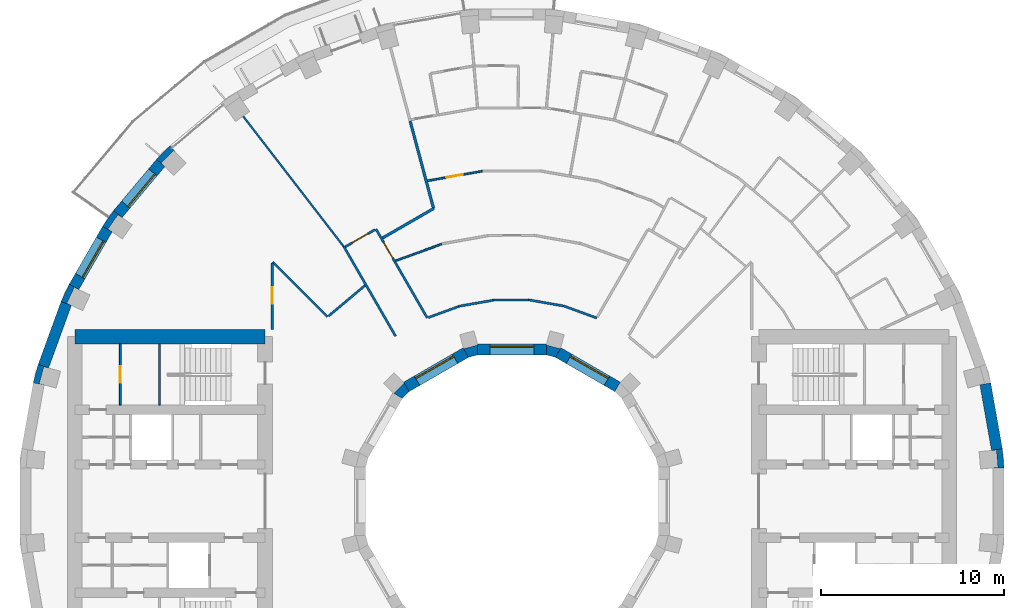
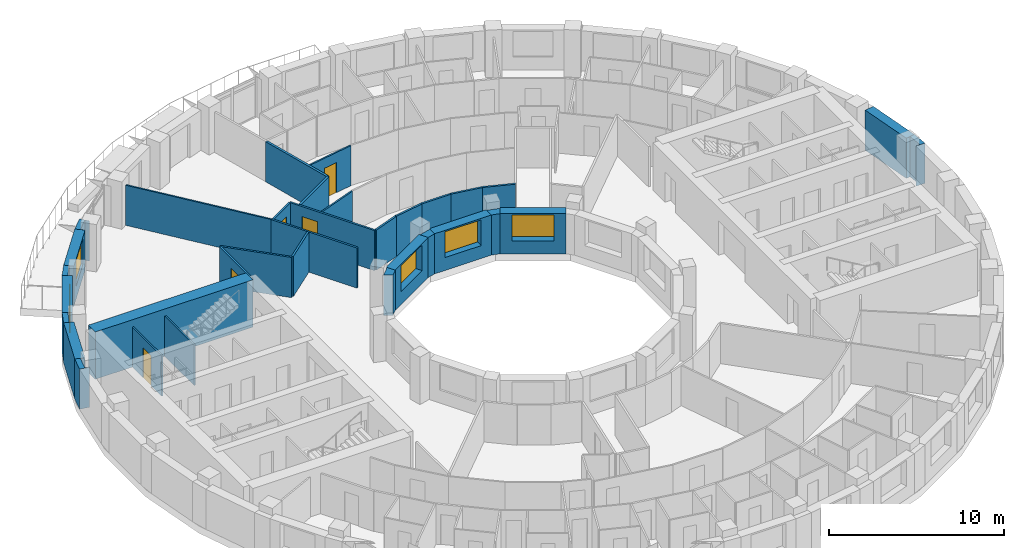
# One storey, part 10 of 14: 34 walls, 5 doors, 5 windows, 10 openings.
"""IFC4 building model written with IfcOpenShell, lengths in metres."""

import ifcopenshell
import ifcopenshell.guid

model = None  # the IFC model being written
_history = None  # IfcOwnerHistory: only IFC2X3 demands one
_inside = {}  # id of a spatial element -> (the spatial element, [elements in it])
_under = {}  # id of a project, library or spatial element -> (it, [spatial elements below it])
_declared = {}  # id of a project -> (the project, [libraries it declares])
_typed = {}  # id of a type object -> (the type object, [elements of that type])
_made_of = {}  # id of a material, layer set ... -> (it, [elements and type objects made of it])


def new_model(schema):
    """Start an empty IFC model of exactly this schema.

    Asked for "IFC4X3", IfcOpenShell would pick the latest addendum, in which some entities
    have other attributes; the version numbers below select the first issue.
    IFC2X3 requires an IfcOwnerHistory on every rooted entity: one is made here for all.
    """
    global model, _history
    if schema == "IFC4X3":
        model = ifcopenshell.file(schema_version=(4, 3, 0, 0))
    else:
        model = ifcopenshell.file(schema=schema)
    _inside.clear()
    _under.clear()
    _declared.clear()
    _typed.clear()
    _made_of.clear()
    _history = None
    if model.schema == "IFC2X3":
        org = make("IfcOrganization", Name="unknown")
        user = make(
            "IfcPersonAndOrganization",
            ThePerson=make("IfcPerson", FamilyName="unknown"),
            TheOrganization=org,
        )
        app = make(
            "IfcApplication",
            ApplicationDeveloper=org,
            Version="unknown",
            ApplicationFullName="unknown",
            ApplicationIdentifier="unknown",
        )
        _history = make(
            "IfcOwnerHistory",
            OwningUser=user,
            OwningApplication=app,
            ChangeAction="ADDED",
            CreationDate=0,
        )
    return model


def make(cls, **values):
    """One entity of the class cls with the attributes given. An attribute that is None is left unset."""
    return model.create_entity(
        cls, **{name: value for name, value in values.items() if value is not None}
    )


def rooted(cls, **values):
    """An entity with a GlobalId (a new one), such as an element, a storey or a relation."""
    return make(cls, GlobalId=ifcopenshell.guid.new(), OwnerHistory=_history, **values)


def si_unit(unit_type, name, prefix=None):
    """IfcSIUnit, for example si_unit("LENGTHUNIT", "METRE", prefix="MILLI")."""
    return make("IfcSIUnit", UnitType=unit_type, Prefix=prefix, Name=name)


def assignment(units):
    """IfcUnitAssignment: the units of a project."""
    return None if units is None else make("IfcUnitAssignment", Units=units)


def point(xyz):
    """IfcCartesianPoint."""
    return None if xyz is None else make("IfcCartesianPoint", Coordinates=xyz)


def direction(xyz):
    """IfcDirection."""
    return None if xyz is None else make("IfcDirection", DirectionRatios=xyz)


def frame(location, z_axis=None, x_axis=None):
    """IfcAxis2Placement3D, a coordinate frame: its origin and axes. An axis left out is left unset."""
    return make(
        "IfcAxis2Placement3D",
        Location=point(location),
        Axis=direction(z_axis),
        RefDirection=direction(x_axis),
    )


def frame_2d(location, x_axis=None):
    """IfcAxis2Placement2D, a coordinate frame in the plane: its origin and x axis."""
    return make(
        "IfcAxis2Placement2D", Location=point(location), RefDirection=direction(x_axis)
    )


def origin():
    """The frame at (0, 0, 0) with its axes left unset."""
    return frame((0.0, 0.0, 0.0))


def place(relative_to, where):
    """IfcLocalPlacement: puts the frame where relative to a parent placement (None: the world)."""
    return make(
        "IfcLocalPlacement", PlacementRelTo=relative_to, RelativePlacement=where
    )


def context(
    kind, dimensions, precision=None, world=None, true_north=None, identifier=None
):
    """IfcGeometricRepresentationContext, for example the 3D "Model" context."""
    return make(
        "IfcGeometricRepresentationContext",
        ContextIdentifier=identifier,
        ContextType=kind,
        CoordinateSpaceDimension=dimensions,
        Precision=precision,
        WorldCoordinateSystem=world,
        TrueNorth=true_north,
    )


def subcontext(parent, identifier, kind, view, scale=None):
    """IfcGeometricRepresentationSubContext, for example "Body" below "Model"."""
    return make(
        "IfcGeometricRepresentationSubContext",
        ContextIdentifier=identifier,
        ContextType=kind,
        ParentContext=parent,
        TargetScale=scale,
        TargetView=view,
    )


def project(units=None, contexts=None):
    """IfcProject with its units and contexts."""
    return rooted(
        "IfcProject",
        Name="project",
        RepresentationContexts=contexts,
        UnitsInContext=assignment(units),
    )


def spatial(cls, under=None, at=None, **own):
    """A site, building, storey or space (cls), placed at a placement, below another one or the project."""
    s = rooted(cls, ObjectPlacement=at, **own)
    if under is not None:
        _under.setdefault(under.id(), (under, []))[1].append(s)
    return s


def polyline(points):
    """IfcPolyline through the points."""
    return make("IfcPolyline", Points=[point(p) for p in points])


def profile(cls, at=None, kind="AREA", **sizes):
    """A parametric profile (cls). Its sizes go by their IFC names, for example OverallWidth=200.0."""
    return make(cls, ProfileType=kind, Position=at, **sizes)


def rectangle(**sizes):
    """IfcRectangleProfileDef."""
    return profile("IfcRectangleProfileDef", **sizes)


def outline(outer, holes=None, kind="AREA"):
    """IfcArbitraryClosedProfileDef: a profile drawn as a closed curve; with holes, ...WithVoids."""
    if holes is None:
        return make("IfcArbitraryClosedProfileDef", ProfileType=kind, OuterCurve=outer)
    return make(
        "IfcArbitraryProfileDefWithVoids",
        ProfileType=kind,
        OuterCurve=outer,
        InnerCurves=holes,
    )


def extrude(swept, where, along, depth):
    """IfcExtrudedAreaSolid: the profile swept, set in the frame where, extruded along a direction by depth."""
    return make(
        "IfcExtrudedAreaSolid",
        SweptArea=swept,
        Position=where,
        ExtrudedDirection=direction(along),
        Depth=depth,
    )


def shape(context_of_items, identifier, shape_type, items):
    """IfcShapeRepresentation: the items that make up one representation, for example the "Body"."""
    return make(
        "IfcShapeRepresentation",
        ContextOfItems=context_of_items,
        RepresentationIdentifier=identifier,
        RepresentationType=shape_type,
        Items=items,
    )


def material(Name=None, Category=None):
    """IfcMaterial."""
    return make("IfcMaterial", Name=Name, Category=Category)


def layer(
    of_material, thickness, ventilated=None, Name=None, Category=None, Priority=None
):
    """IfcMaterialLayer: one layer of a wall or slab, of a material (None: an air gap)."""
    return make(
        "IfcMaterialLayer",
        Material=of_material,
        LayerThickness=thickness,
        IsVentilated=ventilated,
        Name=Name,
        Category=Category,
        Priority=Priority,
    )


def layer_set(layers, Name=None):
    """IfcMaterialLayerSet."""
    return make("IfcMaterialLayerSet", MaterialLayers=layers, LayerSetName=Name)


def made_of(thing, what):
    """Note that an element or type object is made of a material, layer set ...; save() writes the relation."""
    if what is not None:
        _made_of.setdefault(what.id(), (what, []))[1].append(thing)
    return thing


def type_object(cls, material=None, **own):
    """A type object (cls), such as IfcWallType, which elements share."""
    return made_of(rooted(cls, **own), material)


def element(
    cls,
    number,
    at=None,
    inside=None,
    cuts=None,
    type_object=None,
    material=None,
    context=None,
    identifier="Body",
    shape_type=None,
    held_by="IfcProductDefinitionShape",
    body=None,
    shapes=None,
    **own,
):
    """One element of the class cls, such as IfcWall. Its Tag is "e" and its number.

    at: its placement. inside: the storey or other place that contains it. cuts: it is an
    opening in that element (IfcRelVoidsElement). A single representation is given by context,
    identifier, shape_type and body (its items); several are given by shapes. held_by: the class
    of the entity that holds the representations. save() writes the other relations.
    """
    e = rooted(cls, Tag="e%d" % number, ObjectPlacement=at, **own)
    if body is not None:
        shapes = [shape(context, identifier, shape_type, body)]
    if shapes is not None:
        e.Representation = make(held_by, Representations=shapes)
    if inside is not None:
        _inside.setdefault(inside.id(), (inside, []))[1].append(e)
    if cuts is not None:
        rooted(
            "IfcRelVoidsElement", RelatingBuildingElement=cuts, RelatedOpeningElement=e
        )
    if type_object is not None:
        _typed.setdefault(type_object.id(), (type_object, []))[1].append(e)
    return made_of(e, material)


def fill(opening, filler):
    """IfcRelFillsElement: the door or window that sits in an opening."""
    return rooted(
        "IfcRelFillsElement",
        RelatingOpeningElement=opening,
        RelatedBuildingElement=filler,
    )


def aggregate(whole, parts):
    """IfcRelAggregates: a whole, such as a stair, and the parts it consists of."""
    return rooted("IfcRelAggregates", RelatingObject=whole, RelatedObjects=parts)


def save(model, path):
    """Write the relations noted so far, then the file.

    IfcRelAggregates (storeys below a building ...), IfcRelContainedInSpatialStructure (elements
    in a storey), IfcRelDefinesByType, IfcRelAssociatesMaterial and IfcRelDeclares: one each for
    every whole, place, type object, material and project.
    """
    for whole, parts in _under.values():
        aggregate(whole, parts)
    for where, things in _inside.values():
        rooted(
            "IfcRelContainedInSpatialStructure",
            RelatedElements=things,
            RelatingStructure=where,
        )
    for kind, things in _typed.values():
        rooted("IfcRelDefinesByType", RelatedObjects=things, RelatingType=kind)
    for what, things in _made_of.values():
        rooted("IfcRelAssociatesMaterial", RelatedObjects=things, RelatingMaterial=what)
    for by, libraries in _declared.values():
        rooted("IfcRelDeclares", RelatingContext=by, RelatedDefinitions=libraries)
    model.write(path)


model = new_model("IFC4")

# Units and contexts
model_context = context("Model", 3, precision=1e-05, world=origin(), true_north=direction((0.0, 1.0)))
body_context = subcontext(model_context, "Body", "Model", "MODEL_VIEW")
ifc_project = project(units=[si_unit("LENGTHUNIT", "METRE"), si_unit("AREAUNIT", "SQUARE_METRE"), si_unit("VOLUMEUNIT", "CUBIC_METRE"), si_unit("PLANEANGLEUNIT", "RADIAN"), si_unit("MASSUNIT", "GRAM", prefix="KILO")], contexts=[model_context])

# Site, building, storey
site_placement = place(None, origin())
site = spatial("IfcSite", under=ifc_project, at=site_placement, CompositionType="ELEMENT")
building_placement = place(site_placement, origin())
building = spatial("IfcBuilding", under=site, at=building_placement, Name="Saqina Gate Tower", CompositionType="ELEMENT")
storey_placement = place(building_placement, frame((0.0, 0.0, 95.199951171875)))
storey = spatial("IfcBuildingStorey", under=building, at=storey_placement, Name="L26", CompositionType="ELEMENT", Elevation=95.199951171875)

# Walls
ifc_material_1 = material(Name="Brick masonry (buff)", Category="masonry")
wall_type_1 = type_object("IfcWallType", Name="BRICK PIER COPING BUFF", PredefinedType="SOLIDWALL", material=ifc_material_1)
wall_1_placement = place(storey_placement, origin())
element("IfcWall", 1, at=wall_1_placement, inside=storey, type_object=wall_type_1, Name="Pier cap L26 column 1", PredefinedType="SOLIDWALL", context=body_context, shape_type="SweptSolid", body=[
    extrude(outline(polyline([(26.805419921875, 2.87451171875), (26.214599609375, 2.770263671875), (26.482421875, 2.793701171875), (26.565185546875, 1.847412109375), (26.29736328125, 1.823974609375), (26.897216796875, 1.823974609375), (26.805419921875, 2.87451171875)])), origin(), (0.0, 0.0, 1.0), 2.800048828125),
])
wall_2_placement = place(storey_placement, origin())
element("IfcWall", 2, at=wall_2_placement, inside=storey, type_object=wall_type_1, Name="Pier cap L26 column 14", PredefinedType="SOLIDWALL", context=body_context, shape_type="SweptSolid", body=[
    extrude(outline(polyline([(-18.686279296875, 19.43212890625), (-19.43212890625, 18.686279296875), (-18.972412109375, 18.30078125), (-19.16259765625, 18.49072265625), (-18.49072265625, 19.16259765625), (-18.30078125, 18.972412109375), (-18.686279296875, 19.43212890625)])), origin(), (0.0, 0.0, 1.0), 2.800048828125),
])
wall_3_placement = place(storey_placement, origin())
element("IfcWall", 3, at=wall_3_placement, inside=storey, type_object=wall_type_1, Name="Pier cap L26 column 15", PredefinedType="SOLIDWALL", context=body_context, shape_type="SweptSolid", body=[
    extrude(outline(polyline([(-22.3818359375, 15.0283203125), (-21.862060546875, 14.728271484375), (-22.08251953125, 14.88232421875), (-21.53759765625, 15.66064453125), (-21.317138671875, 15.50634765625), (-21.77685546875, 15.89208984375), (-22.3818359375, 15.0283203125)])), origin(), (0.0, 0.0, 1.0), 2.800048828125),
])
wall_4_placement = place(storey_placement, origin())
element("IfcWall", 4, at=wall_4_placement, inside=storey, type_object=wall_type_1, Name="Pier cap L26 column 16", PredefinedType="SOLIDWALL", context=body_context, shape_type="SweptSolid", body=[
    extrude(outline(polyline([(-24.6513671875, 10.913330078125), (-24.08740234375, 10.7080078125), (-24.331298828125, 10.82177734375), (-23.9296875, 11.6826171875), (-23.68603515625, 11.569091796875), (-24.205810546875, 11.869140625), (-24.6513671875, 10.913330078125)])), origin(), (0.0, 0.0, 1.0), 2.800048828125),
])
wall_5_placement = place(storey_placement, origin())
element("IfcWall", 5, at=wall_5_placement, inside=storey, type_object=wall_type_1, Name="Pier cap L26 column 17", PredefinedType="SOLIDWALL", context=body_context, shape_type="SweptSolid", body=[
    extrude(outline(polyline([(-25.89892578125, 7.485595703125), (-26.171875, 6.466796875), (-25.5810546875, 6.36279296875), (-25.8408203125, 6.43212890625), (-25.5947265625, 7.349853515625), (-25.335205078125, 7.2802734375), (-25.89892578125, 7.485595703125)])), origin(), (0.0, 0.0, 1.0), 2.800048828125),
])

# Wall, opening, door
ifc_material_2 = material(Name="Gypsum board on steel studs", Category="steel")
ifc_layer_1 = layer(ifc_material_2, 0.10009765625)
ifc_layer_set_1 = layer_set([ifc_layer_1], Name="CORE PARTITION")
wall_type_2 = type_object("IfcWallType", Name="CORE PARTITION", PredefinedType="PARTITIONING", material=ifc_layer_set_1)
wall_6_placement = place(storey_placement, frame((-21.409912109375, 5.25, 0.0), z_axis=(0.0, 0.0, 1.0), x_axis=(0.0, 1.0, 0.0)))
wall_6 = element("IfcWall", 6, at=wall_6_placement, inside=storey, type_object=wall_type_2, Name="L26-CP-W13", PredefinedType="PARTITIONING", context=body_context, shape_type="SweptSolid", body=[
    extrude(rectangle(XDim=3.35009765625, YDim=0.10009765625, at=frame_2d((1.675048828125, 0.0))), origin(), (0.0, 0.0, 1.0), 2.800048828125),
])
opening_1_placement = place(wall_6_placement, frame((1.22509765625, 0.0, 0.0)))
opening_1 = element("IfcOpeningElement", 7, at=opening_1_placement, cuts=wall_6, Name="Opening G07-D143", PredefinedType="OPENING", context=body_context, shape_type="SweptSolid", body=[
    extrude(rectangle(XDim=0.89990234375, YDim=2.10009765625, at=frame_2d((0.449951171875, 1.050048828125))), frame((0.0, 0.06201171875, 0.0), z_axis=(0.0, -1.0, 0.0), x_axis=(1.0, 0.0, 0.0)), (0.0, 0.0, 1.0), 0.1240234375),
])
ifc_material_3 = material(Name="Steel-framed fire door leaf, EI 60", Category="steel")
door_type_1 = type_object("IfcDoorType", Name="SERVICE ROOM DOOR 900", OperationType="SINGLE_SWING_LEFT", PredefinedType="DOOR", material=ifc_material_3)
door_1_placement = place(opening_1_placement, origin())
door_1 = element("IfcDoor", 8, at=door_1_placement, inside=storey, type_object=door_type_1, Name="L26-CD-W28", OperationType="SINGLE_SWING_RIGHT", OverallHeight=2.10009765625, OverallWidth=0.89990234375, PredefinedType="DOOR", context=body_context, shape_type="SweptSolid", body=[
    extrude(rectangle(XDim=0.89990234375, YDim=2.10009765625, at=frame_2d((0.449951171875, 1.050048828125))), frame((0.0, 0.02490234375, 0.0), z_axis=(0.0, -1.0, 0.0), x_axis=(1.0, 0.0, 0.0)), (0.0, 0.0, 1.0), 0.050048828125),
])
fill(opening_1, door_1)

# Wall, opening, window
ifc_material_4 = material(Name="Brick masonry (buff)", Category="masonry")
ifc_layer_2 = layer(ifc_material_4, 0.60009765625)
ifc_layer_set_2 = layer_set([ifc_layer_2], Name="FW-BRICK-BUFF")
wall_type_3 = type_object("IfcWallType", Name="FW-BRICK-BUFF", PredefinedType="SOLIDWALL", material=ifc_layer_set_2)
wall_7_placement = place(storey_placement, frame((-19.202392578125, 18.49365234375, 0.0), z_axis=(0.0, 0.0, 1.0), x_axis=(-0.642774476932, -0.766055462616, 0.0)))
wall_7 = element("IfcWall", 9, at=wall_7_placement, inside=storey, type_object=wall_type_3, Name="Facade wall L26 facet 14", PredefinedType="SOLIDWALL", context=body_context, shape_type="SweptSolid", body=[
    extrude(rectangle(XDim=3.647705078125, YDim=0.60009765625, at=frame_2d((1.82373046875, 0.0))), origin(), (0.0, 0.0, 1.0), 2.800048828125),
])
opening_2_placement = place(wall_7_placement, frame((0.673828125, 0.0, 0.89990234375)))
opening_2 = element("IfcOpeningElement", 10, at=opening_2_placement, cuts=wall_7, Name="Opening G07-W08", PredefinedType="OPENING", context=body_context, shape_type="SweptSolid", body=[
    extrude(rectangle(XDim=2.300048828125, YDim=1.800048828125, at=frame_2d((1.14990234375, 0.89990234375))), frame((0.0, 0.31201171875, 0.0), z_axis=(0.0, -1.0, 0.0), x_axis=(1.0, 0.0, 0.0)), (0.0, 0.0, 1.0), 0.6240234375),
])
ifc_material_5 = material(Name="Aluminium glazing", Category="aluminium")
window_type_1 = type_object("IfcWindowType", Name="WN-B", PartitioningType="SINGLE_PANEL", PredefinedType="WINDOW", material=ifc_material_5)
window_1_placement = place(opening_2_placement, origin())
window_1 = element("IfcWindow", 11, at=window_1_placement, inside=storey, type_object=window_type_1, Name="Window L26 facet 14", OverallHeight=1.800048828125, OverallWidth=2.300048828125, PartitioningType="SINGLE_PANEL", PredefinedType="WINDOW", context=body_context, shape_type="SweptSolid", body=[
    extrude(rectangle(XDim=2.300048828125, YDim=1.800048828125, at=frame_2d((1.14990234375, 0.89990234375))), frame((0.0, 0.179931640625, 0.0), z_axis=(0.0, -1.0, 0.0), x_axis=(1.0, 0.0, 0.0)), (0.0, 0.0, 1.0), 0.06005859375),
])
fill(opening_2, window_1)

wall_8_placement = place(storey_placement, frame((-22.1220703125, 14.878173828125, 0.0), z_axis=(0.0, 0.0, 1.0), x_axis=(-0.499954196102, -0.866051847062, 0.0)))
wall_8 = element("IfcWall", 12, at=wall_8_placement, inside=storey, type_object=wall_type_3, Name="Facade wall L26 facet 15", PredefinedType="SOLIDWALL", context=body_context, shape_type="SweptSolid", body=[
    extrude(rectangle(XDim=3.647705078125, YDim=0.60009765625, at=frame_2d((1.82373046875, 0.0))), origin(), (0.0, 0.0, 1.0), 2.800048828125),
])
opening_3_placement = place(wall_8_placement, frame((0.673828125, 0.0, 0.89990234375)))
opening_3 = element("IfcOpeningElement", 13, at=opening_3_placement, cuts=wall_8, Name="Opening G07-W09", PredefinedType="OPENING", context=body_context, shape_type="SweptSolid", body=[
    extrude(rectangle(XDim=2.300048828125, YDim=1.800048828125, at=frame_2d((1.14990234375, 0.89990234375))), frame((0.0, 0.31201171875, 0.0), z_axis=(0.0, -1.0, 0.0), x_axis=(1.0, 0.0, 0.0)), (0.0, 0.0, 1.0), 0.6240234375),
])
window_2_placement = place(opening_3_placement, origin())
window_2 = element("IfcWindow", 14, at=window_2_placement, inside=storey, type_object=window_type_1, Name="Window L26 facet 15", OverallHeight=1.800048828125, OverallWidth=2.300048828125, PartitioningType="SINGLE_PANEL", PredefinedType="WINDOW", context=body_context, shape_type="SweptSolid", body=[
    extrude(rectangle(XDim=2.300048828125, YDim=1.800048828125, at=frame_2d((1.14990234375, 0.89990234375))), frame((0.0, 0.179931640625, 0.0), z_axis=(0.0, -1.0, 0.0), x_axis=(1.0, 0.0, 0.0)), (0.0, 0.0, 1.0), 0.06005859375),
])
fill(opening_3, window_2)

# Walls
ifc_material_6 = material(Name="Glazed ceramic tile", Category="ceramic")
ifc_layer_3 = layer(ifc_material_6, 0.60009765625)
ifc_layer_set_3 = layer_set([ifc_layer_3], Name="FW-TILE")
wall_type_4 = type_object("IfcWallType", Name="FW-TILE", PredefinedType="SOLIDWALL", material=ifc_layer_set_3)
wall_9_placement = place(storey_placement, frame((26.510009765625, 2.822265625, 0.0), z_axis=(0.0, 0.0, 1.0), x_axis=(-0.173670796382, 0.984803764455, 0.0)))
element("IfcWall", 15, at=wall_9_placement, inside=storey, type_object=wall_type_4, Name="Facade wall L26 facet 1", PredefinedType="SOLIDWALL", context=body_context, shape_type="SweptSolid", body=[
    extrude(rectangle(XDim=3.64794921875, YDim=0.60009765625, at=frame_2d((1.823974609375, 0.0))), origin(), (0.0, 0.0, 1.0), 2.800048828125),
])
ifc_material_7 = material(Name="Glazed ceramic tile (dark blue)", Category="ceramic")
ifc_layer_4 = layer(ifc_material_7, 0.60009765625)
ifc_layer_set_4 = layer_set([ifc_layer_4], Name="FW-TILE-CB")
wall_type_5 = type_object("IfcWallType", Name="FW-TILE-CB", PredefinedType="SOLIDWALL", material=ifc_layer_set_4)
wall_10_placement = place(storey_placement, frame((-24.369384765625, 10.810791015625, 0.0), z_axis=(0.0, 0.0, 1.0), x_axis=(-0.341990236633, -0.939703505393, 0.0)))
element("IfcWall", 16, at=wall_10_placement, inside=storey, type_object=wall_type_5, Name="Facade wall L26 facet 16", PredefinedType="SOLIDWALL", context=body_context, shape_type="SweptSolid", body=[
    extrude(rectangle(XDim=3.64794921875, YDim=0.60009765625, at=frame_2d((1.823974609375, 0.0))), origin(), (0.0, 0.0, 1.0), 2.800048828125),
])

# Wall, opening, window
ifc_material_8 = material(Name="Glazed ceramic tile", Category="ceramic")
ifc_layer_5 = layer(ifc_material_8, 0.60009765625)
ifc_layer_set_5 = layer_set([ifc_layer_5], Name="IW-TILE")
wall_type_6 = type_object("IfcWallType", Name="IW-TILE", PredefinedType="SOLIDWALL", material=ifc_layer_set_5)
wall_11_placement = place(storey_placement, frame((5.772705078125, 6.251220703125, 0.0), z_axis=(0.0, 0.0, 1.0), x_axis=(-0.86604563398, 0.499964958637, 0.0)))
wall_11 = element("IfcWall", 17, at=wall_11_placement, inside=storey, type_object=wall_type_6, Name="Well wall L26 facet 2", PredefinedType="SOLIDWALL", context=body_context, shape_type="SweptSolid", body=[
    extrude(rectangle(XDim=3.747314453125, YDim=0.60009765625, at=frame_2d((1.87353515625, 0.0))), origin(), (0.0, 0.0, 1.0), 2.800048828125),
])
opening_4_placement = place(wall_11_placement, frame((0.673583984375, 0.0, 0.89990234375)))
opening_4 = element("IfcOpeningElement", 18, at=opening_4_placement, cuts=wall_11, Name="Opening G07-W24", PredefinedType="OPENING", context=body_context, shape_type="SweptSolid", body=[
    extrude(rectangle(XDim=2.39990234375, YDim=1.800048828125, at=frame_2d((1.199951171875, 0.89990234375))), frame((0.0, 0.31201171875, 0.0), z_axis=(0.0, -1.0, 0.0), x_axis=(1.0, 0.0, 0.0)), (0.0, 0.0, 1.0), 0.6240234375),
])
ifc_material_9 = material(Name="Aluminium glazing", Category="aluminium")
window_type_2 = type_object("IfcWindowType", Name="WN-W", PartitioningType="SINGLE_PANEL", PredefinedType="WINDOW", material=ifc_material_9)
window_3_placement = place(opening_4_placement, origin())
window_3 = element("IfcWindow", 19, at=window_3_placement, inside=storey, type_object=window_type_2, Name="Well window L26 facet 2", OverallHeight=1.800048828125, OverallWidth=2.39990234375, PartitioningType="SINGLE_PANEL", PredefinedType="WINDOW", context=body_context, shape_type="SweptSolid", body=[
    extrude(rectangle(XDim=2.39990234375, YDim=1.800048828125, at=frame_2d((1.199951171875, 0.89990234375))), frame((0.0, -0.119873046875, 0.0), z_axis=(0.0, -1.0, 0.0), x_axis=(1.0, 0.0, 0.0)), (0.0, 0.0, 1.0), 0.06005859375),
])
fill(opening_4, window_3)

wall_12_placement = place(storey_placement, frame((1.873779296875, 8.300048828125, 0.0), z_axis=(0.0, 0.0, 1.0), x_axis=(-1.0, 0.0, 0.0)))
wall_12 = element("IfcWall", 20, at=wall_12_placement, inside=storey, type_object=wall_type_6, Name="Well wall L26 facet 3", PredefinedType="SOLIDWALL", context=body_context, shape_type="SweptSolid", body=[
    extrude(rectangle(XDim=3.74755859375, YDim=0.60009765625, at=frame_2d((1.873779296875, 0.0))), origin(), (0.0, 0.0, 1.0), 2.800048828125),
])
opening_5_placement = place(wall_12_placement, frame((0.673583984375, 0.0, 0.89990234375)))
opening_5 = element("IfcOpeningElement", 21, at=opening_5_placement, cuts=wall_12, Name="Opening G07-W25", PredefinedType="OPENING", context=body_context, shape_type="SweptSolid", body=[
    extrude(rectangle(XDim=2.39990234375, YDim=1.800048828125, at=frame_2d((1.199951171875, 0.89990234375))), frame((0.0, 0.31201171875, 0.0), z_axis=(0.0, -1.0, 0.0), x_axis=(1.0, 0.0, 0.0)), (0.0, 0.0, 1.0), 0.6240234375),
])
window_4_placement = place(opening_5_placement, origin())
window_4 = element("IfcWindow", 22, at=window_4_placement, inside=storey, type_object=window_type_2, Name="Well window L26 facet 3", OverallHeight=1.800048828125, OverallWidth=2.39990234375, PartitioningType="SINGLE_PANEL", PredefinedType="WINDOW", context=body_context, shape_type="SweptSolid", body=[
    extrude(rectangle(XDim=2.39990234375, YDim=1.800048828125, at=frame_2d((1.199951171875, 0.89990234375))), frame((0.0, -0.119873046875, 0.0), z_axis=(0.0, -1.0, 0.0), x_axis=(1.0, 0.0, 0.0)), (0.0, 0.0, 1.0), 0.06005859375),
])
fill(opening_5, window_4)

wall_13_placement = place(storey_placement, frame((-2.52734375, 8.124755859375, 0.0), z_axis=(0.0, 0.0, 1.0), x_axis=(-0.86604563398, -0.499964958637, 0.0)))
wall_13 = element("IfcWall", 23, at=wall_13_placement, inside=storey, type_object=wall_type_6, Name="Well wall L26 facet 4", PredefinedType="SOLIDWALL", context=body_context, shape_type="SweptSolid", body=[
    extrude(rectangle(XDim=3.747314453125, YDim=0.60009765625, at=frame_2d((1.87353515625, 0.0))), origin(), (0.0, 0.0, 1.0), 2.800048828125),
])
opening_6_placement = place(wall_13_placement, frame((0.673583984375, 0.0, 0.89990234375)))
opening_6 = element("IfcOpeningElement", 24, at=opening_6_placement, cuts=wall_13, Name="Opening G07-W26", PredefinedType="OPENING", context=body_context, shape_type="SweptSolid", body=[
    extrude(rectangle(XDim=2.39990234375, YDim=1.800048828125, at=frame_2d((1.199951171875, 0.89990234375))), frame((0.0, 0.31201171875, 0.0), z_axis=(0.0, -1.0, 0.0), x_axis=(1.0, 0.0, 0.0)), (0.0, 0.0, 1.0), 0.6240234375),
])
window_5_placement = place(opening_6_placement, origin())
window_5 = element("IfcWindow", 25, at=window_5_placement, inside=storey, type_object=window_type_2, Name="Well window L26 facet 4", OverallHeight=1.800048828125, OverallWidth=2.39990234375, PartitioningType="SINGLE_PANEL", PredefinedType="WINDOW", context=body_context, shape_type="SweptSolid", body=[
    extrude(rectangle(XDim=2.39990234375, YDim=1.800048828125, at=frame_2d((1.199951171875, 0.89990234375))), frame((0.0, -0.119873046875, 0.0), z_axis=(0.0, -1.0, 0.0), x_axis=(1.0, 0.0, 0.0)), (0.0, 0.0, 1.0), 0.06005859375),
])
fill(opening_6, window_5)

# Wall
ifc_material_10 = material(Name="Gypsum board on steel studs, 100 mm", Category="steel")
ifc_layer_6 = layer(ifc_material_10, 0.10009765625)
ifc_layer_set_6 = layer_set([ifc_layer_6], Name="PARTITION 100")
wall_type_7 = type_object("IfcWallType", Name="PARTITION 100", PredefinedType="PARTITIONING", material=ifc_layer_set_6)
wall_14_placement = place(storey_placement, frame((-14.6943359375, 21.042236328125, 0.0), z_axis=(0.0, 0.0, 1.0), x_axis=(0.610804913832, -0.79178112963, 0.0)))
element("IfcWall", 26, at=wall_14_placement, inside=storey, type_object=wall_type_7, Name="PARTITION PW3-15", PredefinedType="PARTITIONING", context=body_context, shape_type="SweptSolid", body=[
    extrude(rectangle(XDim=8.988525390625, YDim=0.10009765625, at=frame_2d((4.494140625, 0.0))), origin(), (0.0, 0.0, 1.0), 2.800048828125),
])

# Wall, opening, door
wall_15_placement = place(storey_placement, frame((-4.6162109375, 17.51708984375, 0.0), z_axis=(0.0, 0.0, 1.0), x_axis=(0.984849913621, 0.173408903003, 0.0)))
wall_15 = element("IfcWall", 27, at=wall_15_placement, inside=storey, type_object=wall_type_7, Name="PARTITION PW3-62", PredefinedType="PARTITIONING", context=body_context, shape_type="SweptSolid", body=[
    extrude(rectangle(XDim=3.033935546875, YDim=0.10009765625, at=frame_2d((1.51708984375, 0.0))), origin(), (0.0, 0.0, 1.0), 2.800048828125),
])
opening_7_placement = place(wall_15_placement, frame((1.054443359375, 0.0, 0.0)))
opening_7 = element("IfcOpeningElement", 28, at=opening_7_placement, cuts=wall_15, Name="Opening G07-D19", PredefinedType="OPENING", context=body_context, shape_type="SweptSolid", body=[
    extrude(rectangle(XDim=0.89990234375, YDim=2.10009765625, at=frame_2d((0.449951171875, 1.050048828125))), frame((0.0, 0.06201171875, 0.0), z_axis=(0.0, -1.0, 0.0), x_axis=(1.0, 0.0, 0.0)), (0.0, 0.0, 1.0), 0.1240234375),
])
ifc_material_11 = material(Name="Timber door leaf, 900 mm", Category="wood")
door_type_2 = type_object("IfcDoorType", Name="DOOR 900 TIMBER", OperationType="SINGLE_SWING_LEFT", PredefinedType="DOOR", material=ifc_material_11)
door_2_placement = place(opening_7_placement, frame((0.89990234375, 0.0, 0.0), z_axis=(0.0, 0.0, 1.0), x_axis=(-1.0, 0.0, 0.0)))
door_2 = element("IfcDoor", 29, at=door_2_placement, inside=storey, type_object=door_type_2, Name="DOOR G07-D19", OperationType="SINGLE_SWING_RIGHT", OverallHeight=2.10009765625, OverallWidth=0.89990234375, PredefinedType="DOOR", context=body_context, shape_type="SweptSolid", body=[
    extrude(rectangle(XDim=0.89990234375, YDim=2.10009765625, at=frame_2d((0.449951171875, 1.050048828125))), frame((0.0, 0.02490234375, 0.0), z_axis=(0.0, -1.0, 0.0), x_axis=(1.0, 0.0, 0.0)), (0.0, 0.0, 1.0), 0.050048828125),
])
fill(opening_7, door_2)

# Walls
wall_16_placement = place(storey_placement, frame((-6.361083984375, 13.141357421875, 0.0), z_axis=(0.0, 0.0, 1.0), x_axis=(0.939569098227, 0.342359328275, 0.0)))
element("IfcWall", 30, at=wall_16_placement, inside=storey, type_object=wall_type_7, Name="PARTITION PW3-68", PredefinedType="PARTITIONING", context=body_context, shape_type="SweptSolid", body=[
    extrude(rectangle(XDim=2.703369140625, YDim=0.10009765625, at=frame_2d((1.3515625, 0.0))), origin(), (0.0, 0.0, 1.0), 2.800048828125),
])
ifc_material_12 = material(Name="Gypsum board on steel studs, 125 mm, fire rated", Category="steel")
ifc_layer_7 = layer(ifc_material_12, 0.125)
ifc_layer_set_7 = layer_set([ifc_layer_7], Name="PARTITION EI 30 125")
wall_type_8 = type_object("IfcWallType", Name="PARTITION EI 30 125", PredefinedType="PARTITIONING", material=ifc_layer_set_7)
wall_17_placement = place(storey_placement, frame((-9.197265625, 13.930419921875, 0.0), z_axis=(0.0, 0.0, 1.0), x_axis=(0.499811918813, -0.86613396528, 0.0)))
element("IfcWall", 31, at=wall_17_placement, inside=storey, type_object=wall_type_8, Name="PARTITION PW1-03", PredefinedType="PARTITIONING", context=body_context, shape_type="SweptSolid", body=[
    extrude(rectangle(XDim=5.669677734375, YDim=0.125, at=frame_2d((2.8349609375, 0.0))), origin(), (0.0, 0.0, 1.0), 2.800048828125),
])

# Wall, opening, door
wall_18_placement = place(storey_placement, frame((-7.43408203125, 14.8759765625, 0.0), z_axis=(0.0, 0.0, 1.0), x_axis=(0.499750096908, -0.866169637335, 0.0)))
wall_18 = element("IfcWall", 32, at=wall_18_placement, inside=storey, type_object=wall_type_8, Name="PARTITION PW1-04", PredefinedType="PARTITIONING", context=body_context, shape_type="SweptSolid", body=[
    extrude(rectangle(XDim=5.606689453125, YDim=0.125, at=frame_2d((2.80322265625, 0.0))), origin(), (0.0, 0.0, 1.0), 2.800048828125),
])
opening_8_placement = place(wall_18_placement, frame((0.83740234375, 0.0, 0.0)))
opening_8 = element("IfcOpeningElement", 33, at=opening_8_placement, cuts=wall_18, Name="Opening G07-D21", PredefinedType="OPENING", context=body_context, shape_type="SweptSolid", body=[
    extrude(rectangle(XDim=1.0, YDim=2.10009765625, at=frame_2d((0.5, 1.050048828125))), frame((0.0, 0.074462890625, 0.0), z_axis=(0.0, -1.0, 0.0), x_axis=(1.0, 0.0, 0.0)), (0.0, 0.0, 1.0), 0.14892578125),
])
ifc_material_13 = material(Name="Fire door leaf EI 30, 1000 mm")
door_type_3 = type_object("IfcDoorType", Name="DOOR 1000 EI 30", OperationType="SINGLE_SWING_LEFT", PredefinedType="DOOR", material=ifc_material_13)
door_3_placement = place(opening_8_placement, origin())
door_3 = element("IfcDoor", 34, at=door_3_placement, inside=storey, type_object=door_type_3, Name="DOOR G07-D21", OperationType="SINGLE_SWING_LEFT", OverallHeight=2.10009765625, OverallWidth=1.0, PredefinedType="DOOR", context=body_context, shape_type="SweptSolid", body=[
    extrude(rectangle(XDim=1.0, YDim=2.10009765625, at=frame_2d((0.5, 1.050048828125))), frame((0.0, 0.02490234375, 0.0), z_axis=(0.0, -1.0, 0.0), x_axis=(1.0, 0.0, 0.0)), (0.0, 0.0, 1.0), 0.050048828125),
])
fill(opening_8, door_3)

# Walls
wall_19_placement = place(storey_placement, frame((-13.078857421875, 13.078857421875, 0.0), z_axis=(0.0, 0.0, 1.0), x_axis=(0.707106781187, -0.707106781187, 0.0)))
element("IfcWall", 35, at=wall_19_placement, inside=storey, type_object=wall_type_8, Name="PARTITION PW1-09", PredefinedType="PARTITIONING", context=body_context, shape_type="SweptSolid", body=[
    extrude(rectangle(XDim=4.2421875, YDim=0.125, at=frame_2d((2.12109375, 0.0))), origin(), (0.0, 0.0, 1.0), 2.800048828125),
])
wall_20_placement = place(storey_placement, frame((2.7978515625, 10.68505859375, 0.0), z_axis=(0.0, 0.0, 1.0), x_axis=(0.939595877431, -0.342285826635, 0.0)))
element("IfcWall", 36, at=wall_20_placement, inside=storey, type_object=wall_type_8, Name="PARTITION PW1-21", PredefinedType="PARTITIONING", context=body_context, shape_type="SweptSolid", body=[
    extrude(rectangle(XDim=1.949951171875, YDim=0.125, at=frame_2d((0.97509765625, 0.0))), origin(), (0.0, 0.0, 1.0), 2.800048828125),
])
wall_21_placement = place(storey_placement, frame((0.8994140625, 11.010986328125, 0.0), z_axis=(0.0, 0.0, 1.0), x_axis=(0.984830733923, -0.173517795977, 0.0)))
element("IfcWall", 37, at=wall_21_placement, inside=storey, type_object=wall_type_8, Name="PARTITION PW1-25", PredefinedType="PARTITIONING", context=body_context, shape_type="SweptSolid", body=[
    extrude(rectangle(XDim=1.92626953125, YDim=0.125, at=frame_2d((0.963134765625, 0.0))), origin(), (0.0, 0.0, 1.0), 2.800048828125),
])
wall_22_placement = place(storey_placement, frame((-1.025390625, 11.0, 0.0), z_axis=(0.0, 0.0, 1.0), x_axis=(1.0, 0.0, 0.0)))
element("IfcWall", 38, at=wall_22_placement, inside=storey, type_object=wall_type_8, Name="PARTITION PW1-29", PredefinedType="PARTITIONING", context=body_context, shape_type="SweptSolid", body=[
    extrude(rectangle(XDim=1.9248046875, YDim=0.125, at=frame_2d((0.96240234375, 0.0))), origin(), (0.0, 0.0, 1.0), 2.800048828125),
])
wall_23_placement = place(storey_placement, frame((-2.920166015625, 10.655029296875, 0.0), z_axis=(0.0, 0.0, 1.0), x_axis=(0.98482691703, 0.173539458027, 0.0)))
element("IfcWall", 39, at=wall_23_placement, inside=storey, type_object=wall_type_8, Name="PARTITION PW1-33", PredefinedType="PARTITIONING", context=body_context, shape_type="SweptSolid", body=[
    extrude(rectangle(XDim=1.926025390625, YDim=0.125, at=frame_2d((0.962890625, 0.0))), origin(), (0.0, 0.0, 1.0), 2.800048828125),
])
wall_24_placement = place(storey_placement, frame((-4.572265625, 10.04150390625, 0.0), z_axis=(0.0, 0.0, 1.0), x_axis=(0.939578855371, 0.342332549635, 0.0)))
element("IfcWall", 40, at=wall_24_placement, inside=storey, type_object=wall_type_8, Name="PARTITION PW1-37", PredefinedType="PARTITIONING", context=body_context, shape_type="SweptSolid", body=[
    extrude(rectangle(XDim=1.76220703125, YDim=0.125, at=frame_2d((0.881103515625, 0.0))), origin(), (0.0, 0.0, 1.0), 2.800048828125),
])

# Wall, opening, door
wall_25_placement = place(storey_placement, frame((-9.1220703125, 13.904052734375, 0.0), z_axis=(0.0, 0.0, 1.0), x_axis=(0.866620759959, 0.498967392128, 0.0)))
wall_25 = element("IfcWall", 41, at=wall_25_placement, inside=storey, type_object=wall_type_8, Name="PARTITION PW1-38", PredefinedType="PARTITIONING", context=body_context, shape_type="SweptSolid", body=[
    extrude(rectangle(XDim=1.88525390625, YDim=0.125, at=frame_2d((0.942626953125, 0.0))), origin(), (0.0, 0.0, 1.0), 2.800048828125),
])
opening_9_placement = place(wall_25_placement, frame((0.44775390625, 0.0, 0.0)))
opening_9 = element("IfcOpeningElement", 42, at=opening_9_placement, cuts=wall_25, Name="Opening G07-D22", PredefinedType="OPENING", context=body_context, shape_type="SweptSolid", body=[
    extrude(rectangle(XDim=1.0, YDim=2.10009765625, at=frame_2d((0.5, 1.050048828125))), frame((0.0, 0.074462890625, 0.0), z_axis=(0.0, -1.0, 0.0), x_axis=(1.0, 0.0, 0.0)), (0.0, 0.0, 1.0), 0.14892578125),
])
door_4_placement = place(opening_9_placement, frame((1.0, 0.0, 0.0), z_axis=(0.0, 0.0, 1.0), x_axis=(-1.0, 0.0, 0.0)))
door_4 = element("IfcDoor", 43, at=door_4_placement, inside=storey, type_object=door_type_3, Name="DOOR G07-D22", OperationType="SINGLE_SWING_LEFT", OverallHeight=2.10009765625, OverallWidth=1.0, PredefinedType="DOOR", context=body_context, shape_type="SweptSolid", body=[
    extrude(rectangle(XDim=1.0, YDim=2.10009765625, at=frame_2d((0.5, 1.050048828125))), frame((0.0, 0.02490234375, 0.0), z_axis=(0.0, -1.0, 0.0), x_axis=(1.0, 0.0, 0.0)), (0.0, 0.0, 1.0), 0.050048828125),
])
fill(opening_9, door_4)

# Wall
wall_26_placement = place(storey_placement, frame((-10.03125, 10.119384765625, 0.0), z_axis=(0.0, 0.0, 1.0), x_axis=(0.766096242005, 0.642725873126, 0.0)))
element("IfcWall", 44, at=wall_26_placement, inside=storey, type_object=wall_type_8, Name="PARTITION PW1-42", PredefinedType="PARTITIONING", context=body_context, shape_type="SweptSolid", body=[
    extrude(rectangle(XDim=2.604248046875, YDim=0.125, at=frame_2d((1.30224609375, 0.0))), origin(), (0.0, 0.0, 1.0), 2.800048828125),
])

# Wall, opening, door
wall_27_placement = place(storey_placement, frame((-13.10009765625, 9.39990234375, 0.0), z_axis=(0.0, 0.0, 1.0), x_axis=(0.0, 1.0, 0.0)))
wall_27 = element("IfcWall", 45, at=wall_27_placement, inside=storey, type_object=wall_type_8, Name="PARTITION PW1-52", PredefinedType="PARTITIONING", context=body_context, shape_type="SweptSolid", body=[
    extrude(rectangle(XDim=3.63671875, YDim=0.125, at=frame_2d((1.818359375, 0.0))), origin(), (0.0, 0.0, 1.0), 2.800048828125),
])
opening_10_placement = place(wall_27_placement, frame((1.3994140625, 0.0, 0.0)))
opening_10 = element("IfcOpeningElement", 46, at=opening_10_placement, cuts=wall_27, Name="Opening G07-D23", PredefinedType="OPENING", context=body_context, shape_type="SweptSolid", body=[
    extrude(rectangle(XDim=0.89990234375, YDim=2.10009765625, at=frame_2d((0.449951171875, 1.050048828125))), frame((0.0, 0.074462890625, 0.0), z_axis=(0.0, -1.0, 0.0), x_axis=(1.0, 0.0, 0.0)), (0.0, 0.0, 1.0), 0.14892578125),
])
ifc_material_14 = material(Name="Fire door leaf EI 30, 900 mm")
door_type_4 = type_object("IfcDoorType", Name="DOOR 900 EI 30", OperationType="SINGLE_SWING_LEFT", PredefinedType="DOOR", material=ifc_material_14)
door_5_placement = place(opening_10_placement, frame((0.89990234375, 0.0, 0.0), z_axis=(0.0, 0.0, 1.0), x_axis=(-1.0, 0.0, 0.0)))
door_5 = element("IfcDoor", 47, at=door_5_placement, inside=storey, type_object=door_type_4, Name="DOOR G07-D23", OperationType="SINGLE_SWING_LEFT", OverallHeight=2.10009765625, OverallWidth=0.89990234375, PredefinedType="DOOR", context=body_context, shape_type="SweptSolid", body=[
    extrude(rectangle(XDim=0.89990234375, YDim=2.10009765625, at=frame_2d((0.449951171875, 1.050048828125))), frame((0.0, 0.02490234375, 0.0), z_axis=(0.0, -1.0, 0.0), x_axis=(1.0, 0.0, 0.0)), (0.0, 0.0, 1.0), 0.050048828125),
])
fill(opening_10, door_5)

# Walls
ifc_material_15 = material(Name="Gypsum board on steel studs, 150 mm, fire rated", Category="steel")
ifc_layer_8 = layer(ifc_material_15, 0.14990234375)
ifc_layer_set_8 = layer_set([ifc_layer_8], Name="PARTITION EI 60 150")
wall_type_9 = type_object("IfcWallType", Name="PARTITION EI 60 150", PredefinedType="PARTITIONING", material=ifc_layer_set_8)
wall_28_placement = place(storey_placement, frame((-5.56884765625, 20.78369140625, 0.0), z_axis=(0.0, 0.0, 1.0), x_axis=(0.258810886784, -0.965928012267, 0.0)))
element("IfcWall", 48, at=wall_28_placement, inside=storey, type_object=wall_type_9, Name="PARTITION PW2-01", PredefinedType="PARTITIONING", context=body_context, shape_type="SweptSolid", body=[
    extrude(rectangle(XDim=4.94873046875, YDim=0.14990234375, at=frame_2d((2.474365234375, 0.0))), origin(), (0.0, 0.0, 1.0), 2.800048828125),
])
wall_29_placement = place(storey_placement, frame((-7.079833984375, 14.38720703125, 0.0), z_axis=(0.0, 0.0, 1.0), x_axis=(0.865957178428, 0.500118151169, 0.0)))
element("IfcWall", 49, at=wall_29_placement, inside=storey, type_object=wall_type_9, Name="PARTITION PW2-02", PredefinedType="PARTITIONING", context=body_context, shape_type="SweptSolid", body=[
    extrude(rectangle(XDim=3.239990234375, YDim=0.14990234375, at=frame_2d((1.6201171875, 0.0))), origin(), (0.0, 0.0, 1.0), 2.800048828125),
])
ifc_material_16 = material(Name="Autoclaved aerated concrete block", Category="concrete")
ifc_layer_9 = layer(ifc_material_16, 0.10009765625)
ifc_layer_set_9 = layer_set([ifc_layer_9], Name="STAIR ENCLOSURE WALL")
wall_type_10 = type_object("IfcWallType", Name="STAIR ENCLOSURE WALL", PredefinedType="PARTITIONING", material=ifc_layer_set_9)
wall_30_placement = place(storey_placement, frame((-19.27001953125, 5.25, 0.0), z_axis=(0.0, 0.0, 1.0), x_axis=(0.0, 1.0, 0.0)))
element("IfcWall", 50, at=wall_30_placement, inside=storey, type_object=wall_type_10, Name="L26-CP-W12", PredefinedType="PARTITIONING", context=body_context, shape_type="SweptSolid", body=[
    extrude(rectangle(XDim=3.35009765625, YDim=0.10009765625, at=frame_2d((1.675048828125, 0.0))), origin(), (0.0, 0.0, 1.0), 2.800048828125),
])
ifc_material_17 = material(Name="Concrete C70/85", Category="concrete")
ifc_layer_10 = layer(ifc_material_17, 0.800048828125)
ifc_layer_set_10 = layer_set([ifc_layer_10], Name="Concrete C70/85")
wall_type_11 = type_object("IfcWallType", Name="STR-CORE WALL-B-O", PredefinedType="SHEAR", material=ifc_layer_set_10)
wall_31_placement = place(storey_placement, frame((-13.5, 9.0, 0.0), z_axis=(0.0, 0.0, 1.0), x_axis=(-1.0, 0.0, 0.0)))
element("IfcWall", 51, at=wall_31_placement, inside=storey, type_object=wall_type_11, Name="CORE WALL L26 W-NE", PredefinedType="SHEAR", context=body_context, shape_type="SweptSolid", body=[
    extrude(rectangle(XDim=10.39990234375, YDim=0.800048828125, at=frame_2d((5.199951171875, 0.0))), origin(), (0.0, 0.0, 1.0), 3.300048828125),
])
ifc_material_18 = material(Name="Glazed ceramic tile", Category="ceramic")
wall_type_12 = type_object("IfcWallType", Name="TILE PIER COPING", PredefinedType="SOLIDWALL", material=ifc_material_18)
wall_32_placement = place(storey_placement, origin())
element("IfcWall", 52, at=wall_32_placement, inside=storey, type_object=wall_type_12, Name="Well pier cap L26 column 3", PredefinedType="SOLIDWALL", context=body_context, shape_type="SweptSolid", body=[
    extrude(outline(polyline([(1.873779296875, 8.5380859375), (1.873779296875, 8.0), (2.377197265625, 7.864990234375), (2.646484375, 8.3310546875), (1.873779296875, 8.5380859375)])), origin(), (0.0, 0.0, 1.0), 2.800048828125),
])
wall_33_placement = place(storey_placement, origin())
element("IfcWall", 53, at=wall_33_placement, inside=storey, type_object=wall_type_12, Name="Well pier cap L26 column 4", PredefinedType="SOLIDWALL", context=body_context, shape_type="SweptSolid", body=[
    extrude(outline(polyline([(-2.646484375, 8.3310546875), (-2.377197265625, 7.864990234375), (-1.873779296875, 8.0), (-1.873779296875, 8.5380859375), (-2.646484375, 8.3310546875)])), origin(), (0.0, 0.0, 1.0), 2.800048828125),
])
wall_34_placement = place(storey_placement, origin())
element("IfcWall", 54, at=wall_34_placement, inside=storey, type_object=wall_type_12, Name="Well pier cap L26 column 5", PredefinedType="SOLIDWALL", context=body_context, shape_type="SweptSolid", body=[
    extrude(outline(polyline([(-6.45751953125, 5.891845703125), (-5.991455078125, 5.622802734375), (-5.622802734375, 5.991455078125), (-5.891845703125, 6.45751953125), (-6.45751953125, 5.891845703125)])), origin(), (0.0, 0.0, 1.0), 2.800048828125),
])

save(model, "model.ifc")
